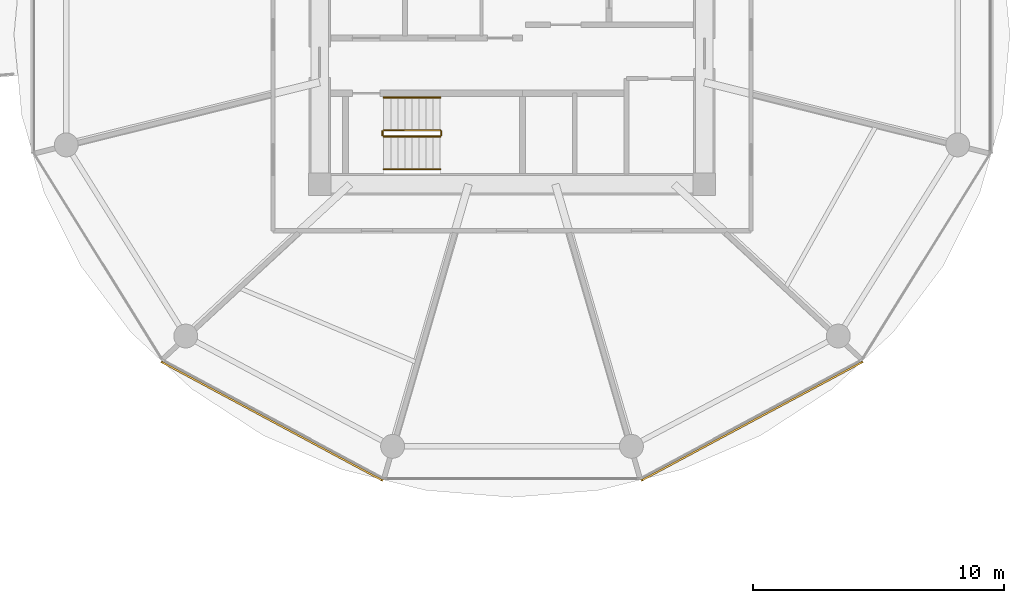
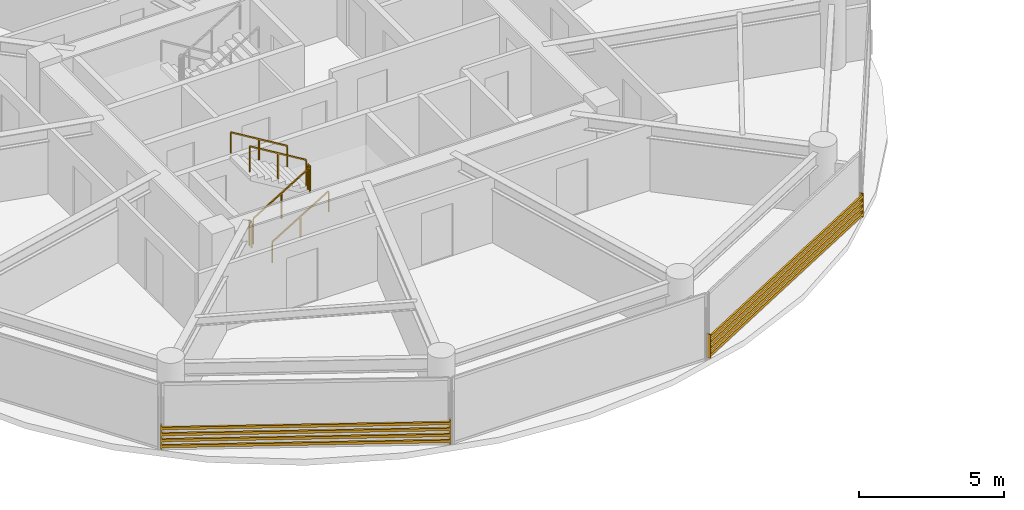
# One storey, part 21 of 25: 6 railings, 2 shading devices.
"""IFC4 building model written with IfcOpenShell, lengths in metres."""

from ifc_helpers import new_model, si_unit, direction, frame, origin, origin_2d, place, context, subcontext, project, spatial, rectangle, extrude, source, transform, mapped, material, type_object, type_shapes, element, save


model = new_model("IFC4")

# Units and contexts
model_context = context("Model", 3, precision=1e-05, world=origin(), true_north=direction((0.0, 1.0)))
body_context = subcontext(model_context, "Body", "Model", "MODEL_VIEW")
ifc_project = project(units=[si_unit("LENGTHUNIT", "METRE"), si_unit("AREAUNIT", "SQUARE_METRE"), si_unit("VOLUMEUNIT", "CUBIC_METRE"), si_unit("PLANEANGLEUNIT", "RADIAN"), si_unit("MASSUNIT", "GRAM", prefix="KILO")], contexts=[model_context])

# Site, building, storey
site_placement = place(None, origin())
site = spatial("IfcSite", under=ifc_project, at=site_placement, CompositionType="ELEMENT")
building_placement = place(site_placement, origin())
building = spatial("IfcBuilding", under=site, at=building_placement, Name="Norrkilde Senior Care Towers", CompositionType="ELEMENT")
storey_placement = place(building_placement, frame((0.0, 0.0, 27.699951171875)))
storey = spatial("IfcBuildingStorey", under=building, at=storey_placement, Name="L07", CompositionType="ELEMENT", Elevation=27.699951171875)

# Railings
ifc_material_1 = material(Name="Stainless Steel", Category="steel")
railing_type_1 = type_object("IfcRailingType", Name="Stair and Terrace Guardrail 1100", PredefinedType="GUARDRAIL", material=ifc_material_1)
railing_1_placement = place(storey_placement, frame((-33.10009765625, -4.050048828125, 0.16943359375)))
element("IfcRailing", 1, at=railing_1_placement, inside=storey, type_object=railing_type_1, Name="L07 ST-W2 stair guard 1", PredefinedType="GUARDRAIL", context=body_context, shape_type="SweptSolid", body=[
    extrude(rectangle(XDim=0.048095703125, YDim=0.048095703125, at=origin_2d()), frame((0.0, 0.0, 1.076171875), z_axis=(0.855512035549, 0.0, 0.517782924622), x_axis=(0.0, 1.0, 0.0)), (0.0, 0.0, 1.0), 2.618408203125),
    extrude(rectangle(XDim=0.0419921875, YDim=0.0419921875, at=origin_2d()), origin(), (0.0, 0.0, 1.0), 1.050048828125),
    extrude(rectangle(XDim=0.0419921875, YDim=0.0419921875, at=origin_2d()), frame((1.1201171875, 0.0, 0.677734375)), (0.0, 0.0, 1.0), 1.050048828125),
    extrude(rectangle(XDim=0.0419921875, YDim=0.0419921875, at=origin_2d()), frame((2.239990234375, 0.0, 1.355712890625)), (0.0, 0.0, 1.0), 1.050048828125),
])
railing_2_placement = place(storey_placement, frame((-30.81005859375, -4.0, 1.525146484375)))
element("IfcRailing", 2, at=railing_2_placement, inside=storey, type_object=railing_type_1, Name="L07 ST-W2 stair guard 2", PredefinedType="GUARDRAIL", context=body_context, shape_type="SweptSolid", body=[
    extrude(rectangle(XDim=0.048095703125, YDim=0.048095703125, at=origin_2d()), frame((0.0, 0.0, 1.076171875), z_axis=(0.0, 1.0, 0.0), x_axis=(-1.0, 0.0, 0.0)), (0.0, 0.0, 1.0), 0.14990234375),
    extrude(rectangle(XDim=0.0419921875, YDim=0.0419921875, at=origin_2d()), origin(), (0.0, 0.0, 1.0), 1.050048828125),
    extrude(rectangle(XDim=0.0419921875, YDim=0.0419921875, at=origin_2d()), frame((0.0, 0.14990234375, 0.0)), (0.0, 0.0, 1.0), 1.050048828125),
])
railing_3_placement = place(storey_placement, frame((-30.860107421875, -3.800048828125, 1.694580078125)))
element("IfcRailing", 3, at=railing_3_placement, inside=storey, type_object=railing_type_1, Name="L07 ST-W2 stair guard 3", PredefinedType="GUARDRAIL", context=body_context, shape_type="SweptSolid", body=[
    extrude(rectangle(XDim=0.048095703125, YDim=0.048095703125, at=origin_2d()), frame((0.0, 0.0, 1.076171875), z_axis=(-0.855553338991, 0.0, 0.51771467445), x_axis=(0.0, -1.0, 0.0)), (0.0, 0.0, 1.0), 2.6181640625),
    extrude(rectangle(XDim=0.0419921875, YDim=0.0419921875, at=origin_2d()), origin(), (0.0, 0.0, 1.0), 1.050048828125),
    extrude(rectangle(XDim=0.0419921875, YDim=0.0419921875, at=origin_2d()), frame((-1.1201171875, 0.0, 0.677734375)), (0.0, 0.0, 1.0), 1.050048828125),
    extrude(rectangle(XDim=0.0419921875, YDim=0.0419921875, at=origin_2d()), frame((-2.239990234375, 0.0, 1.35546875)), (0.0, 0.0, 1.0), 1.050048828125),
])
railing_4_placement = place(storey_placement, frame((-33.14990234375, -4.0, 0.0)))
element("IfcRailing", 4, at=railing_4_placement, inside=storey, type_object=railing_type_1, Name="L07 ST-W2 stair guard 4", PredefinedType="GUARDRAIL", context=body_context, shape_type="SweptSolid", body=[
    extrude(rectangle(XDim=0.048095703125, YDim=0.048095703125, at=origin_2d()), frame((0.0, 0.0, 1.076171875), z_axis=(0.0, 1.0, 0.0), x_axis=(-1.0, 0.0, 0.0)), (0.0, 0.0, 1.0), 0.14990234375),
    extrude(rectangle(XDim=0.0419921875, YDim=0.0419921875, at=origin_2d()), origin(), (0.0, 0.0, 1.0), 1.050048828125),
    extrude(rectangle(XDim=0.0419921875, YDim=0.0419921875, at=origin_2d()), frame((0.0, 0.14990234375, 0.0)), (0.0, 0.0, 1.0), 1.050048828125),
])
ifc_material_2 = material(Name="Nordic Ash Timber", Category="wood")
railing_type_2 = type_object("IfcRailingType", Name="Wall and Stair Handrail 900", PredefinedType="HANDRAIL", material=ifc_material_2)
railing_5_placement = place(storey_placement, frame((-33.10009765625, -5.35009765625, 0.16943359375)))
element("IfcRailing", 5, at=railing_5_placement, inside=storey, type_object=railing_type_2, Name="L07 ST-W2 stair handrail 1", PredefinedType="HANDRAIL", context=body_context, shape_type="SweptSolid", body=[
    extrude(rectangle(XDim=0.048095703125, YDim=0.048095703125, at=origin_2d()), frame((0.0, 0.0, 0.8759765625), z_axis=(0.855512035549, 0.0, 0.517782924622), x_axis=(0.0, 1.0, 0.0)), (0.0, 0.0, 1.0), 2.618408203125),
    extrude(rectangle(XDim=0.0419921875, YDim=0.0419921875, at=origin_2d()), origin(), (0.0, 0.0, 1.0), 0.849853515625),
    extrude(rectangle(XDim=0.0419921875, YDim=0.0419921875, at=origin_2d()), frame((1.1201171875, 0.0, 0.677734375)), (0.0, 0.0, 1.0), 0.849853515625),
    extrude(rectangle(XDim=0.0419921875, YDim=0.0419921875, at=origin_2d()), frame((2.239990234375, 0.0, 1.355712890625)), (0.0, 0.0, 1.0), 0.849853515625),
])
railing_6_placement = place(storey_placement, frame((-30.860107421875, -2.5, 1.694580078125)))
element("IfcRailing", 6, at=railing_6_placement, inside=storey, type_object=railing_type_2, Name="L07 ST-W2 stair handrail 2", PredefinedType="HANDRAIL", context=body_context, shape_type="SweptSolid", body=[
    extrude(rectangle(XDim=0.048095703125, YDim=0.048095703125, at=origin_2d()), frame((0.0, 0.0, 0.8759765625), z_axis=(-0.855553338991, 0.0, 0.51771467445), x_axis=(0.0, -1.0, 0.0)), (0.0, 0.0, 1.0), 2.6181640625),
    extrude(rectangle(XDim=0.0419921875, YDim=0.0419921875, at=origin_2d()), origin(), (0.0, 0.0, 1.0), 0.849853515625),
    extrude(rectangle(XDim=0.0419921875, YDim=0.0419921875, at=origin_2d()), frame((-1.1201171875, 0.0, 0.677734375)), (0.0, 0.0, 1.0), 0.849853515625),
    extrude(rectangle(XDim=0.0419921875, YDim=0.0419921875, at=origin_2d()), frame((-2.239990234375, 0.0, 1.35546875)), (0.0, 0.0, 1.0), 0.849853515625),
])

# Shading devices
ifc_material_3 = material(Name="Architectural Terracotta", Category="masonry")
shading_device_type = type_object("IfcShadingDeviceType", Name="Horizontal Terracotta Baguette Rack", PredefinedType="USERDEFINED", material=ifc_material_3)
shared_shape = source(origin(), body_context, "Body", "SweptSolid", [
    extrude(rectangle(XDim=0.070068359375, YDim=0.110107421875, at=origin_2d()), frame((0.0, 0.090087890625, 0.125), z_axis=(1.0, 0.0, 0.0), x_axis=(0.0, 1.0, 0.0)), (0.0, 0.0, 1.0), 10.0107421875),
    extrude(rectangle(XDim=0.070068359375, YDim=0.110107421875, at=origin_2d()), frame((0.0, 0.090087890625, 0.375), z_axis=(1.0, 0.0, 0.0), x_axis=(0.0, 1.0, 0.0)), (0.0, 0.0, 1.0), 10.0107421875),
    extrude(rectangle(XDim=0.070068359375, YDim=0.110107421875, at=origin_2d()), frame((0.0, 0.090087890625, 0.625), z_axis=(1.0, 0.0, 0.0), x_axis=(0.0, 1.0, 0.0)), (0.0, 0.0, 1.0), 10.0107421875),
    extrude(rectangle(XDim=0.070068359375, YDim=0.110107421875, at=origin_2d()), frame((0.0, 0.090087890625, 0.875), z_axis=(1.0, 0.0, 0.0), x_axis=(0.0, 1.0, 0.0)), (0.0, 0.0, 1.0), 10.0107421875),
    extrude(rectangle(XDim=0.050048828125, YDim=0.1552734375, at=origin_2d()), frame((0.02490234375, 0.047607421875, 0.0)), (0.0, 0.0, 1.0), 1.0),
    extrude(rectangle(XDim=0.050048828125, YDim=0.1552734375, at=origin_2d()), frame((9.98583984375, 0.047607421875, 0.0)), (0.0, 0.0, 1.0), 1.0),
])
type_shapes(shading_device_type, [shared_shape])
for number, where, z_axis, x_axis, name in (
    (7, (-33.093505859375, -17.6572265625, 0.080078125), (0.0, 0.0, 1.0), (-0.881279875134, 0.472612428056, 0.0), "L07 Drum W Terracotta Baguette Screen 07"),
    (8, (-14.084228515625, -12.926025390625, 0.080078125), (0.0, 0.0, 1.0), (-0.881279875134, -0.472612428056, 0.0), "L07 Drum W Terracotta Baguette Screen 09"),
):
    element("IfcShadingDevice", number, at=place(storey_placement, frame(where, z_axis=z_axis, x_axis=x_axis)), inside=storey, type_object=shading_device_type, Name=name, ObjectType="BAGUETTE", PredefinedType="USERDEFINED", context=body_context, shape_type="MappedRepresentation", body=[
        mapped(shared_shape, transform((0.0, 0.0, 0.0), x_axis=(1.0, 0.0, 0.0), y_axis=(0.0, 1.0, 0.0), z_axis=(0.0, 0.0, 1.0), scale=1.0)),
    ])

save(model, "model.ifc")
